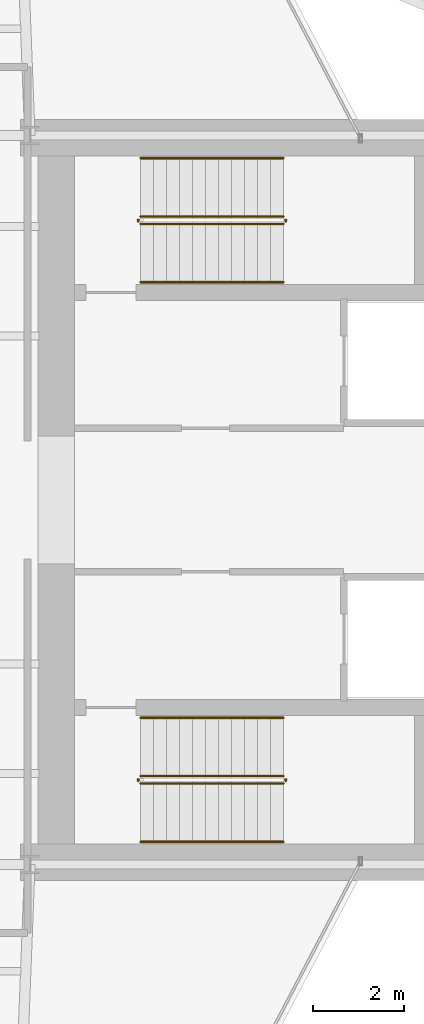
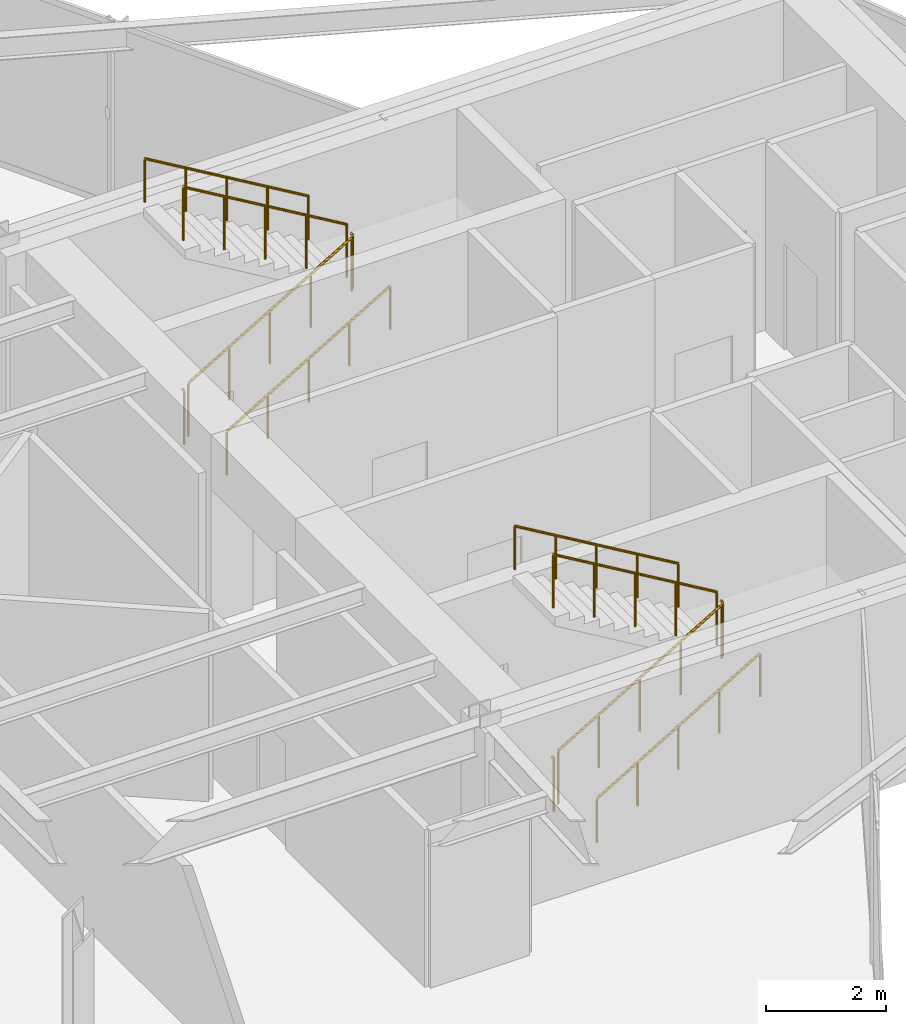
# One storey, part 25 of 25: 12 railings.
"""IFC4 building model written with IfcOpenShell, lengths in metres."""

from ifc_helpers import new_model, si_unit, direction, frame, origin, origin_2d, place, context, subcontext, project, spatial, circle, extrude, material, type_object, element, save


model = new_model("IFC4")

# Units and contexts
model_context = context("Model", 3, precision=1e-05, world=origin(), true_north=direction((0.0, 1.0)))
body_context = subcontext(model_context, "Body", "Model", "MODEL_VIEW")
ifc_project = project(units=[si_unit("LENGTHUNIT", "METRE"), si_unit("AREAUNIT", "SQUARE_METRE"), si_unit("VOLUMEUNIT", "CUBIC_METRE"), si_unit("PLANEANGLEUNIT", "RADIAN"), si_unit("MASSUNIT", "GRAM", prefix="KILO")], contexts=[model_context])

# Site, building, storey
site_placement = place(None, origin())
site = spatial("IfcSite", under=ifc_project, at=site_placement, CompositionType="ELEMENT")
building_placement = place(site_placement, origin())
building = spatial("IfcBuilding", under=site, at=building_placement, Name="Veymaron Broadcast Tower", CompositionType="ELEMENT")
storey_placement = place(building_placement, frame((0.0, 0.0, 141.14990234375)))
storey = spatial("IfcBuildingStorey", under=building, at=storey_placement, Name="L32", CompositionType="ELEMENT", Elevation=141.14990234375)

# Railings
ifc_material_1 = material(Name="Brushed stainless steel AISI 304", Category="steel")
railing_type_1 = type_object("IfcRailingType", Name="RAIL-STAIR-HR", PredefinedType="HANDRAIL", material=ifc_material_1)
railing_1_placement = place(storey_placement, frame((41.429931640625, 28.780029296875, 0.1689453125)))
element("IfcRailing", 1, at=railing_1_placement, inside=storey, type_object=railing_type_1, Name="L32 ST1 stair handrail 1", PredefinedType="HANDRAIL", context=body_context, shape_type="SweptSolid", body=[
    extrude(circle(Radius=0.02392578125, at=origin_2d()), frame((0.0, 0.0, 0.8759765625), z_axis=(0.860481960309, 0.0, 0.509480908359), x_axis=(0.0, 1.0, 0.0)), (0.0, 0.0, 1.0), 3.643310546875),
    extrude(circle(Radius=0.02099609375, at=origin_2d()), origin(), (0.0, 0.0, 1.0), 0.851806640625),
    extrude(circle(Radius=0.02099609375, at=origin_2d()), frame((0.78369140625, 0.0, 0.464111328125)), (0.0, 0.0, 1.0), 0.851806640625),
    extrude(circle(Radius=0.02099609375, at=origin_2d()), frame((1.5673828125, 0.0, 0.92822265625)), (0.0, 0.0, 1.0), 0.851806640625),
    extrude(circle(Radius=0.02099609375, at=origin_2d()), frame((2.351318359375, 0.0, 1.39208984375)), (0.0, 0.0, 1.0), 0.851806640625),
    extrude(circle(Radius=0.02099609375, at=origin_2d()), frame((3.135009765625, 0.0, 1.856201171875)), (0.0, 0.0, 1.0), 0.851806640625),
])
railing_2_placement = place(storey_placement, frame((44.56494140625, 31.5, 2.19384765625)))
element("IfcRailing", 2, at=railing_2_placement, inside=storey, type_object=railing_type_1, Name="L32 ST1 stair handrail 2", PredefinedType="HANDRAIL", context=body_context, shape_type="SweptSolid", body=[
    extrude(circle(Radius=0.02392578125, at=origin_2d()), frame((0.0, 0.0, 0.8759765625), z_axis=(-0.860481960309, 0.0, 0.509480908359), x_axis=(0.0, -1.0, 0.0)), (0.0, 0.0, 1.0), 3.643310546875),
    extrude(circle(Radius=0.02099609375, at=origin_2d()), origin(), (0.0, 0.0, 1.0), 0.851806640625),
    extrude(circle(Radius=0.02099609375, at=origin_2d()), frame((-0.78369140625, 0.0, 0.464111328125)), (0.0, 0.0, 1.0), 0.851806640625),
    extrude(circle(Radius=0.02099609375, at=origin_2d()), frame((-1.5673828125, 0.0, 0.92822265625)), (0.0, 0.0, 1.0), 0.851806640625),
    extrude(circle(Radius=0.02099609375, at=origin_2d()), frame((-2.351318359375, 0.0, 1.39208984375)), (0.0, 0.0, 1.0), 0.851806640625),
    extrude(circle(Radius=0.02099609375, at=origin_2d()), frame((-3.135009765625, 0.0, 1.856201171875)), (0.0, 0.0, 1.0), 0.851806640625),
])
railing_3_placement = place(storey_placement, frame((41.429931640625, 16.5, 0.1689453125)))
element("IfcRailing", 3, at=railing_3_placement, inside=storey, type_object=railing_type_1, Name="L32 ST2 stair handrail 1", PredefinedType="HANDRAIL", context=body_context, shape_type="SweptSolid", body=[
    extrude(circle(Radius=0.02392578125, at=origin_2d()), frame((0.0, 0.0, 0.8759765625), z_axis=(0.860481960309, 0.0, 0.509480908359), x_axis=(0.0, 1.0, 0.0)), (0.0, 0.0, 1.0), 3.643310546875),
    extrude(circle(Radius=0.02099609375, at=origin_2d()), origin(), (0.0, 0.0, 1.0), 0.851806640625),
    extrude(circle(Radius=0.02099609375, at=origin_2d()), frame((0.78369140625, 0.0, 0.464111328125)), (0.0, 0.0, 1.0), 0.851806640625),
    extrude(circle(Radius=0.02099609375, at=origin_2d()), frame((1.5673828125, 0.0, 0.92822265625)), (0.0, 0.0, 1.0), 0.851806640625),
    extrude(circle(Radius=0.02099609375, at=origin_2d()), frame((2.351318359375, 0.0, 1.39208984375)), (0.0, 0.0, 1.0), 0.851806640625),
    extrude(circle(Radius=0.02099609375, at=origin_2d()), frame((3.135009765625, 0.0, 1.856201171875)), (0.0, 0.0, 1.0), 0.851806640625),
])
railing_4_placement = place(storey_placement, frame((44.56494140625, 19.219970703125, 2.19384765625)))
element("IfcRailing", 4, at=railing_4_placement, inside=storey, type_object=railing_type_1, Name="L32 ST2 stair handrail 2", PredefinedType="HANDRAIL", context=body_context, shape_type="SweptSolid", body=[
    extrude(circle(Radius=0.02392578125, at=origin_2d()), frame((0.0, 0.0, 0.8759765625), z_axis=(-0.860481960309, 0.0, 0.509480908359), x_axis=(0.0, -1.0, 0.0)), (0.0, 0.0, 1.0), 3.643310546875),
    extrude(circle(Radius=0.02099609375, at=origin_2d()), origin(), (0.0, 0.0, 1.0), 0.851806640625),
    extrude(circle(Radius=0.02099609375, at=origin_2d()), frame((-0.78369140625, 0.0, 0.464111328125)), (0.0, 0.0, 1.0), 0.851806640625),
    extrude(circle(Radius=0.02099609375, at=origin_2d()), frame((-1.5673828125, 0.0, 0.92822265625)), (0.0, 0.0, 1.0), 0.851806640625),
    extrude(circle(Radius=0.02099609375, at=origin_2d()), frame((-2.351318359375, 0.0, 1.39208984375)), (0.0, 0.0, 1.0), 0.851806640625),
    extrude(circle(Radius=0.02099609375, at=origin_2d()), frame((-3.135009765625, 0.0, 1.856201171875)), (0.0, 0.0, 1.0), 0.851806640625),
])
ifc_material_2 = material(Name="Painted galvanized steel balustrade", Category="steel")
railing_type_2 = type_object("IfcRailingType", Name="RAIL-WELL-GRD", PredefinedType="GUARDRAIL", material=ifc_material_2)
railing_5_placement = place(storey_placement, frame((41.429931640625, 30.06005859375, 0.1689453125)))
element("IfcRailing", 5, at=railing_5_placement, inside=storey, type_object=railing_type_2, Name="L32 ST1 stair guard 1", PredefinedType="GUARDRAIL", context=body_context, shape_type="SweptSolid", body=[
    extrude(circle(Radius=0.02392578125, at=origin_2d()), frame((0.0, 0.0, 1.076171875), z_axis=(0.860481960309, 0.0, 0.509480908359), x_axis=(0.0, 1.0, 0.0)), (0.0, 0.0, 1.0), 3.643310546875),
    extrude(circle(Radius=0.02099609375, at=origin_2d()), origin(), (0.0, 0.0, 1.0), 1.052001953125),
    extrude(circle(Radius=0.02099609375, at=origin_2d()), frame((0.78369140625, 0.0, 0.464111328125)), (0.0, 0.0, 1.0), 1.052001953125),
    extrude(circle(Radius=0.02099609375, at=origin_2d()), frame((1.5673828125, 0.0, 0.92822265625)), (0.0, 0.0, 1.0), 1.052001953125),
    extrude(circle(Radius=0.02099609375, at=origin_2d()), frame((2.351318359375, 0.0, 1.39208984375)), (0.0, 0.0, 1.0), 1.052001953125),
    extrude(circle(Radius=0.02099609375, at=origin_2d()), frame((3.135009765625, 0.0, 1.856201171875)), (0.0, 0.0, 1.0), 1.052001953125),
])
railing_6_placement = place(storey_placement, frame((44.614990234375, 30.110107421875, 2.025146484375)))
element("IfcRailing", 6, at=railing_6_placement, inside=storey, type_object=railing_type_2, Name="L32 ST1 stair guard 2", PredefinedType="GUARDRAIL", context=body_context, shape_type="SweptSolid", body=[
    extrude(circle(Radius=0.02392578125, at=origin_2d()), frame((0.0, 0.0, 1.076171875), z_axis=(0.0, 1.0, 0.0), x_axis=(-1.0, 0.0, 0.0)), (0.0, 0.0, 1.0), 0.059814453125),
    extrude(circle(Radius=0.02099609375, at=origin_2d()), origin(), (0.0, 0.0, 1.0), 1.052001953125),
])
railing_7_placement = place(storey_placement, frame((44.56494140625, 30.219970703125, 2.19384765625)))
element("IfcRailing", 7, at=railing_7_placement, inside=storey, type_object=railing_type_2, Name="L32 ST1 stair guard 3", PredefinedType="GUARDRAIL", context=body_context, shape_type="SweptSolid", body=[
    extrude(circle(Radius=0.02392578125, at=origin_2d()), frame((0.0, 0.0, 1.076171875), z_axis=(-0.860481960309, 0.0, 0.509480908359), x_axis=(0.0, -1.0, 0.0)), (0.0, 0.0, 1.0), 3.643310546875),
    extrude(circle(Radius=0.02099609375, at=origin_2d()), origin(), (0.0, 0.0, 1.0), 1.052001953125),
    extrude(circle(Radius=0.02099609375, at=origin_2d()), frame((-0.78369140625, 0.0, 0.464111328125)), (0.0, 0.0, 1.0), 1.052001953125),
    extrude(circle(Radius=0.02099609375, at=origin_2d()), frame((-1.5673828125, 0.0, 0.92822265625)), (0.0, 0.0, 1.0), 1.052001953125),
    extrude(circle(Radius=0.02099609375, at=origin_2d()), frame((-2.351318359375, 0.0, 1.39208984375)), (0.0, 0.0, 1.0), 1.052001953125),
    extrude(circle(Radius=0.02099609375, at=origin_2d()), frame((-3.135009765625, 0.0, 1.856201171875)), (0.0, 0.0, 1.0), 1.052001953125),
])
railing_8_placement = place(storey_placement, frame((41.3798828125, 30.110107421875, 0.0)))
element("IfcRailing", 8, at=railing_8_placement, inside=storey, type_object=railing_type_2, Name="L32 ST1 stair guard 4", PredefinedType="GUARDRAIL", context=body_context, shape_type="SweptSolid", body=[
    extrude(circle(Radius=0.02392578125, at=origin_2d()), frame((0.0, 0.0, 1.076171875), z_axis=(0.0, 1.0, 0.0), x_axis=(-1.0, 0.0, 0.0)), (0.0, 0.0, 1.0), 0.059814453125),
    extrude(circle(Radius=0.02099609375, at=origin_2d()), origin(), (0.0, 0.0, 1.0), 1.052001953125),
])
railing_9_placement = place(storey_placement, frame((41.429931640625, 17.780029296875, 0.1689453125)))
element("IfcRailing", 9, at=railing_9_placement, inside=storey, type_object=railing_type_2, Name="L32 ST2 stair guard 1", PredefinedType="GUARDRAIL", context=body_context, shape_type="SweptSolid", body=[
    extrude(circle(Radius=0.02392578125, at=origin_2d()), frame((0.0, 0.0, 1.076171875), z_axis=(0.860481960309, 0.0, 0.509480908359), x_axis=(0.0, 1.0, 0.0)), (0.0, 0.0, 1.0), 3.643310546875),
    extrude(circle(Radius=0.02099609375, at=origin_2d()), origin(), (0.0, 0.0, 1.0), 1.052001953125),
    extrude(circle(Radius=0.02099609375, at=origin_2d()), frame((0.78369140625, 0.0, 0.464111328125)), (0.0, 0.0, 1.0), 1.052001953125),
    extrude(circle(Radius=0.02099609375, at=origin_2d()), frame((1.5673828125, 0.0, 0.92822265625)), (0.0, 0.0, 1.0), 1.052001953125),
    extrude(circle(Radius=0.02099609375, at=origin_2d()), frame((2.351318359375, 0.0, 1.39208984375)), (0.0, 0.0, 1.0), 1.052001953125),
    extrude(circle(Radius=0.02099609375, at=origin_2d()), frame((3.135009765625, 0.0, 1.856201171875)), (0.0, 0.0, 1.0), 1.052001953125),
])
railing_10_placement = place(storey_placement, frame((44.614990234375, 17.830078125, 2.025146484375)))
element("IfcRailing", 10, at=railing_10_placement, inside=storey, type_object=railing_type_2, Name="L32 ST2 stair guard 2", PredefinedType="GUARDRAIL", context=body_context, shape_type="SweptSolid", body=[
    extrude(circle(Radius=0.02392578125, at=origin_2d()), frame((0.0, 0.0, 1.076171875), z_axis=(0.0, 1.0, 0.0), x_axis=(-1.0, 0.0, 0.0)), (0.0, 0.0, 1.0), 0.059814453125),
    extrude(circle(Radius=0.02099609375, at=origin_2d()), origin(), (0.0, 0.0, 1.0), 1.052001953125),
])
railing_11_placement = place(storey_placement, frame((44.56494140625, 17.93994140625, 2.19384765625)))
element("IfcRailing", 11, at=railing_11_placement, inside=storey, type_object=railing_type_2, Name="L32 ST2 stair guard 3", PredefinedType="GUARDRAIL", context=body_context, shape_type="SweptSolid", body=[
    extrude(circle(Radius=0.02392578125, at=origin_2d()), frame((0.0, 0.0, 1.076171875), z_axis=(-0.860481960309, 0.0, 0.509480908359), x_axis=(0.0, -1.0, 0.0)), (0.0, 0.0, 1.0), 3.643310546875),
    extrude(circle(Radius=0.02099609375, at=origin_2d()), origin(), (0.0, 0.0, 1.0), 1.052001953125),
    extrude(circle(Radius=0.02099609375, at=origin_2d()), frame((-0.78369140625, 0.0, 0.464111328125)), (0.0, 0.0, 1.0), 1.052001953125),
    extrude(circle(Radius=0.02099609375, at=origin_2d()), frame((-1.5673828125, 0.0, 0.92822265625)), (0.0, 0.0, 1.0), 1.052001953125),
    extrude(circle(Radius=0.02099609375, at=origin_2d()), frame((-2.351318359375, 0.0, 1.39208984375)), (0.0, 0.0, 1.0), 1.052001953125),
    extrude(circle(Radius=0.02099609375, at=origin_2d()), frame((-3.135009765625, 0.0, 1.856201171875)), (0.0, 0.0, 1.0), 1.052001953125),
])
railing_12_placement = place(storey_placement, frame((41.3798828125, 17.830078125, 0.0)))
element("IfcRailing", 12, at=railing_12_placement, inside=storey, type_object=railing_type_2, Name="L32 ST2 stair guard 4", PredefinedType="GUARDRAIL", context=body_context, shape_type="SweptSolid", body=[
    extrude(circle(Radius=0.02392578125, at=origin_2d()), frame((0.0, 0.0, 1.076171875), z_axis=(0.0, 1.0, 0.0), x_axis=(-1.0, 0.0, 0.0)), (0.0, 0.0, 1.0), 0.059814453125),
    extrude(circle(Radius=0.02099609375, at=origin_2d()), origin(), (0.0, 0.0, 1.0), 1.052001953125),
])

save(model, "model.ifc")
